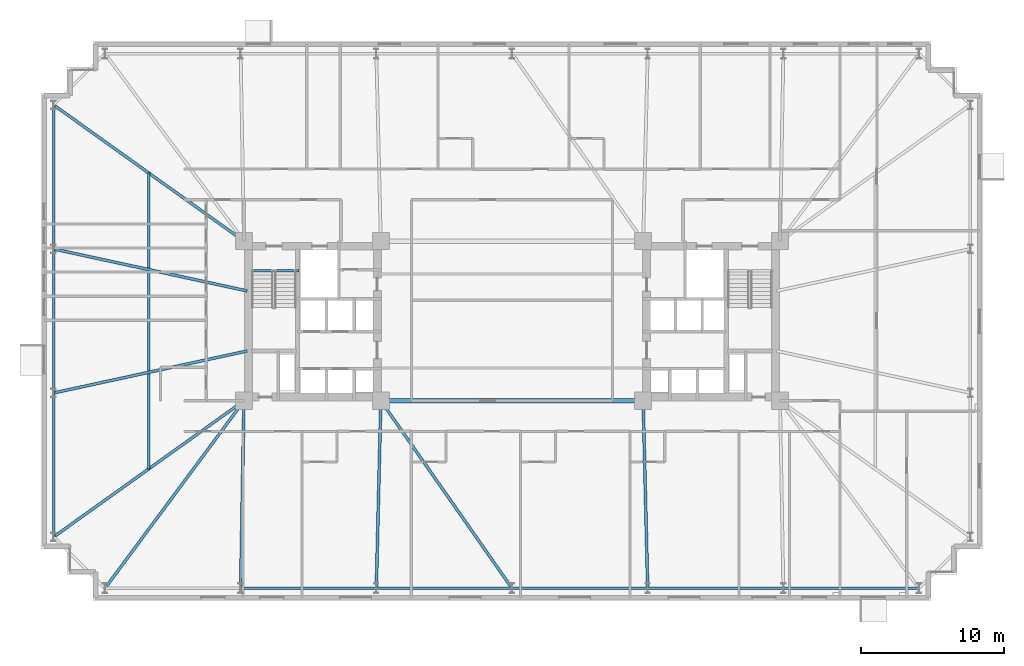
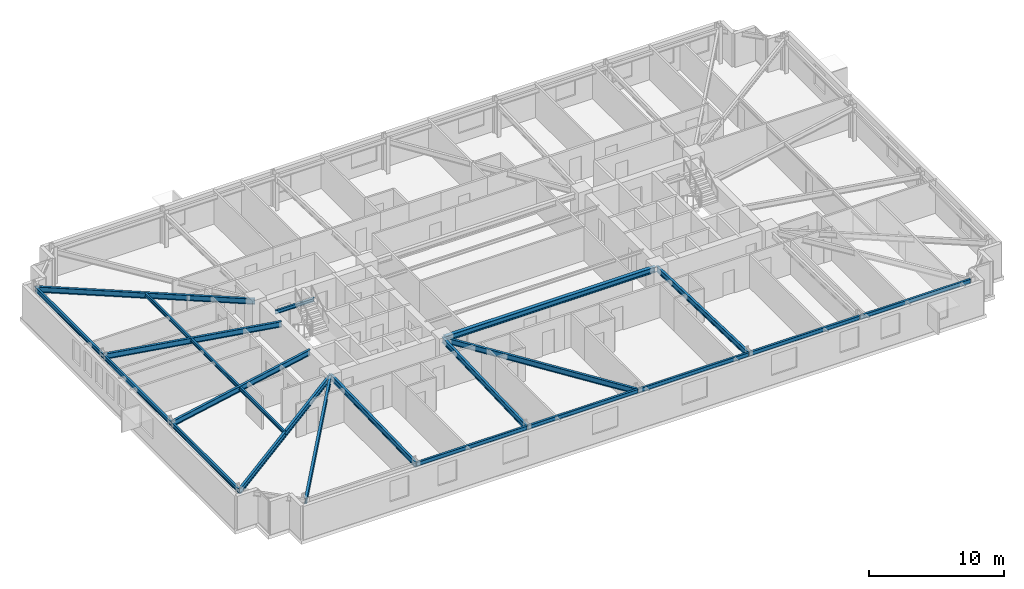
# One storey, part 5 of 21: 20 beams.
"""IFC4 building model written with IfcOpenShell, lengths in metres."""

from ifc_helpers import new_model, si_unit, direction, frame, origin, origin_2d, place, context, subcontext, project, spatial, i_section, extrude, material, material_profile, profile_set, type_object, element, save


model = new_model("IFC4")

# Units and contexts
model_context = context("Model", 3, precision=1e-05, world=origin(), true_north=direction((0.0, 1.0)))
body_context = subcontext(model_context, "Body", "Model", "MODEL_VIEW")
ifc_project = project(units=[si_unit("LENGTHUNIT", "METRE"), si_unit("AREAUNIT", "SQUARE_METRE"), si_unit("VOLUMEUNIT", "CUBIC_METRE"), si_unit("PLANEANGLEUNIT", "RADIAN"), si_unit("MASSUNIT", "GRAM", prefix="KILO")], contexts=[model_context])

# Site, building, storey
site_placement = place(None, origin())
site = spatial("IfcSite", under=ifc_project, at=site_placement, CompositionType="ELEMENT")
building_placement = place(site_placement, origin())
building = spatial("IfcBuilding", under=site, at=building_placement, Name="Qobustan Lattice House", CompositionType="ELEMENT")
storey_placement = place(building_placement, frame((0.0, 0.0, 40.39990234375)))
storey = spatial("IfcBuildingStorey", under=building, at=storey_placement, Name="L10", CompositionType="ELEMENT", Elevation=40.39990234375)

# Beams
ifc_material_1 = material(Name="Steel S355", Category="steel")
ifc_material_profile_1 = material_profile(ifc_material_1, i_section(OverallWidth=0.300048828125, OverallDepth=0.5, WebThickness=0.014404296875, FlangeThickness=0.028076171875, FilletRadius=0.027099609375, at=origin_2d()), Name="HEB500")
ifc_profile_set_1 = profile_set([ifc_material_profile_1], Name="Steel S355")
beam_type_1 = type_object("IfcBeamType", Name="BM-CG-HEB500", PredefinedType="USERDEFINED", material=ifc_profile_set_1)
beam_1_placement = place(storey_placement, frame((-9.050048828125, -5.60009765625, 2.78515625), z_axis=(1.0, 0.0, 0.0), x_axis=(0.0, 1.0, 0.0)))
element("IfcBeam", 1, at=beam_1_placement, inside=storey, type_object=beam_type_1, Name="L10 core spine girder CG-CS", ObjectType="GIRDER", PredefinedType="USERDEFINED", context=body_context, shape_type="SweptSolid", body=[
    extrude(i_section(OverallWidth=0.300048828125, OverallDepth=0.5, WebThickness=0.014404296875, FlangeThickness=0.028076171875, FilletRadius=0.027099609375, at=origin_2d()), origin(), (0.0, 0.0, 1.0), 18.10009765625),
])
ifc_material_2 = material(Name="Steel S355", Category="steel")
ifc_material_profile_2 = material_profile(ifc_material_2, i_section(OverallWidth=0.199951171875, OverallDepth=0.5, WebThickness=0.01025390625, FlangeThickness=0.01611328125, FilletRadius=0.02099609375, at=origin_2d()), Name="IPE500")
ifc_profile_set_2 = profile_set([ifc_material_profile_2], Name="Steel S355")
beam_type_2 = type_object("IfcBeamType", Name="BM-FLG-IPE500", PredefinedType="USERDEFINED", material=ifc_profile_set_2)
beam_2_placement = place(storey_placement, frame((-28.53515625, -18.72998046875, 2.78515625), z_axis=(0.5955916815, 0.803287338956, 0.0), x_axis=(-0.803287338956, 0.5955916815, 0.0)))
element("IfcBeam", 2, at=beam_2_placement, inside=storey, type_object=beam_type_2, Name="L10 primary floor girder RAD-S1W", ObjectType="GIRDER", PredefinedType="USERDEFINED", context=body_context, shape_type="SweptSolid", body=[
    extrude(i_section(OverallWidth=0.199951171875, OverallDepth=0.5, WebThickness=0.01025390625, FlangeThickness=0.01611328125, FilletRadius=0.02099609375, at=origin_2d()), origin(), (0.0, 0.0, 1.0), 16.3203125),
])
beam_3_placement = place(storey_placement, frame((-19.032958984375, -18.72509765625, 2.78515625), z_axis=(0.017757831607, 0.999842317276, 0.0), x_axis=(-0.999842317276, 0.017757831607, 0.0)))
element("IfcBeam", 3, at=beam_3_placement, inside=storey, type_object=beam_type_2, Name="L10 primary floor girder RAD-S2", ObjectType="GIRDER", PredefinedType="USERDEFINED", context=body_context, shape_type="SweptSolid", body=[
    extrude(i_section(OverallWidth=0.199951171875, OverallDepth=0.5, WebThickness=0.01025390625, FlangeThickness=0.01611328125, FilletRadius=0.02099609375, at=origin_2d()), origin(), (0.0, 0.0, 1.0), 13.10205078125),
])
beam_4_placement = place(storey_placement, frame((-9.51611328125, -18.72509765625, 2.78515625), z_axis=(0.024071445657, 0.999710240772, 0.0), x_axis=(-0.999710240772, 0.024071445657, 0.0)))
element("IfcBeam", 4, at=beam_4_placement, inside=storey, type_object=beam_type_2, Name="L10 primary floor girder RAD-S3", ObjectType="GIRDER", PredefinedType="USERDEFINED", context=body_context, shape_type="SweptSolid", body=[
    extrude(i_section(OverallWidth=0.199951171875, OverallDepth=0.5, WebThickness=0.01025390625, FlangeThickness=0.01611328125, FilletRadius=0.02099609375, at=origin_2d()), origin(), (0.0, 0.0, 1.0), 13.10400390625),
])
beam_5_placement = place(storey_placement, frame((-0.014404296875, -18.7294921875, 2.78515625), z_axis=(-0.57325954206, 0.819373844736, 0.0), x_axis=(-0.819373844736, -0.57325954206, 0.0)))
element("IfcBeam", 5, at=beam_5_placement, inside=storey, type_object=beam_type_2, Name="L10 primary floor girder RAD-S4", ObjectType="GIRDER", PredefinedType="USERDEFINED", context=body_context, shape_type="SweptSolid", body=[
    extrude(i_section(OverallWidth=0.199951171875, OverallDepth=0.5, WebThickness=0.01025390625, FlangeThickness=0.01611328125, FilletRadius=0.02099609375, at=origin_2d()), origin(), (0.0, 0.0, 1.0), 15.998779296875),
])
beam_6_placement = place(storey_placement, frame((9.51611328125, -18.72509765625, 2.78515625), z_axis=(-0.024071445657, 0.999710240772, 0.0), x_axis=(-0.999710240772, -0.024071445657, 0.0)))
element("IfcBeam", 6, at=beam_6_placement, inside=storey, type_object=beam_type_2, Name="L10 primary floor girder RAD-S5", ObjectType="GIRDER", PredefinedType="USERDEFINED", context=body_context, shape_type="SweptSolid", body=[
    extrude(i_section(OverallWidth=0.199951171875, OverallDepth=0.5, WebThickness=0.01025390625, FlangeThickness=0.01611328125, FilletRadius=0.02099609375, at=origin_2d()), origin(), (0.0, 0.0, 1.0), 13.10400390625),
])
beam_7_placement = place(storey_placement, frame((-32.129638671875, 15.135498046875, 2.78515625), z_axis=(0.813318954893, -0.581818079481, 0.0), x_axis=(0.581818079481, 0.813318954893, 0.0)))
element("IfcBeam", 7, at=beam_7_placement, inside=storey, type_object=beam_type_2, Name="L10 primary floor girder RAD-W1", ObjectType="GIRDER", PredefinedType="USERDEFINED", context=body_context, shape_type="SweptSolid", body=[
    extrude(i_section(OverallWidth=0.199951171875, OverallDepth=0.5, WebThickness=0.01025390625, FlangeThickness=0.01611328125, FilletRadius=0.02099609375, at=origin_2d()), origin(), (0.0, 0.0, 1.0), 16.3642578125),
])
for number, where, z_axis, x_axis, name in (
    (8, (-32.12548828125, 5.044677734375, 2.78515625), (0.97727240275, -0.211987383643, 0.0), (0.211987383643, 0.97727240275, 0.0), "L10 primary floor girder RAD-W2"),
    (9, (-32.12548828125, -5.044677734375, 2.78515625), (0.97727240275, 0.211987383643, 0.0), (-0.211987383643, 0.97727240275, 0.0), "L10 primary floor girder RAD-W3"),
):
    element("IfcBeam", number, at=place(storey_placement, frame(where, z_axis=z_axis, x_axis=x_axis)), inside=storey, type_object=beam_type_2, Name=name, ObjectType="GIRDER", PredefinedType="USERDEFINED", context=body_context, shape_type="SweptSolid", body=[
        extrude(i_section(OverallWidth=0.199951171875, OverallDepth=0.5, WebThickness=0.01025390625, FlangeThickness=0.01611328125, FilletRadius=0.02099609375, at=origin_2d()), origin(), (0.0, 0.0, 1.0), 13.8662109375),
    ])
beam_8_placement = place(storey_placement, frame((-32.129638671875, -15.135498046875, 2.78515625), z_axis=(0.813318954893, 0.581818079481, 0.0), x_axis=(-0.581818079481, 0.813318954893, 0.0)))
element("IfcBeam", 10, at=beam_8_placement, inside=storey, type_object=beam_type_2, Name="L10 primary floor girder RAD-W4", ObjectType="GIRDER", PredefinedType="USERDEFINED", context=body_context, shape_type="SweptSolid", body=[
    extrude(i_section(OverallWidth=0.199951171875, OverallDepth=0.5, WebThickness=0.01025390625, FlangeThickness=0.01611328125, FilletRadius=0.02099609375, at=origin_2d()), origin(), (0.0, 0.0, 1.0), 16.3642578125),
])
ifc_material_3 = material(Name="Steel S355", Category="steel")
ifc_material_profile_3 = material_profile(ifc_material_3, i_section(OverallWidth=0.159912109375, OverallDepth=0.330078125, WebThickness=0.007568359375, FlangeThickness=0.011474609375, FilletRadius=0.01806640625, at=origin_2d()), Name="IPE330")
ifc_profile_set_3 = profile_set([ifc_material_profile_3], Name="Steel S355")
beam_type_3 = type_object("IfcBeamType", Name="BM-SEC-IPE330", PredefinedType="BEAM", material=ifc_profile_set_3)
beam_9_placement = place(storey_placement, frame((-25.47509765625, 10.375, 2.8701171875), z_axis=(0.0, -1.0, 0.0), x_axis=(1.0, 0.0, 0.0)))
element("IfcBeam", 11, at=beam_9_placement, inside=storey, type_object=beam_type_3, Name="L10 west wing secondary beam", PredefinedType="BEAM", context=body_context, shape_type="SweptSolid", body=[
    extrude(i_section(OverallWidth=0.159912109375, OverallDepth=0.330078125, WebThickness=0.007568359375, FlangeThickness=0.011474609375, FilletRadius=0.01806640625, at=origin_2d()), origin(), (0.0, 0.0, 1.0), 20.75),
])
ifc_material_4 = material(Name="Steel S355", Category="steel")
ifc_material_profile_4 = material_profile(ifc_material_4, i_section(OverallWidth=0.159912109375, OverallDepth=0.330078125, WebThickness=0.007568359375, FlangeThickness=0.011474609375, FilletRadius=0.01806640625, at=origin_2d()), Name="IPE330")
ifc_profile_set_4 = profile_set([ifc_material_profile_4], Name="Steel S355")
beam_type_4 = type_object("IfcBeamType", Name="BM-SPD-IPE330", PredefinedType="SPANDREL", material=ifc_profile_set_4)
beam_10_placement = place(storey_placement, frame((-18.300048828125, 3.52001953125, 2.8701171875), z_axis=(1.0, 0.0, 0.0), x_axis=(0.0, 1.0, 0.0)))
element("IfcBeam", 12, at=beam_10_placement, inside=storey, type_object=beam_type_4, Name="L10 west stair landing trimmer beam", PredefinedType="SPANDREL", context=body_context, shape_type="SweptSolid", body=[
    extrude(i_section(OverallWidth=0.159912109375, OverallDepth=0.330078125, WebThickness=0.007568359375, FlangeThickness=0.011474609375, FilletRadius=0.01806640625, at=origin_2d()), origin(), (0.0, 0.0, 1.0), 3.35009765625),
])
ifc_material_5 = material(Name="Steel S355", Category="steel")
ifc_material_profile_5 = material_profile(ifc_material_5, i_section(OverallWidth=0.179931640625, OverallDepth=0.39990234375, WebThickness=0.008544921875, FlangeThickness=0.013427734375, FilletRadius=0.02099609375, at=origin_2d()), Name="IPE400")
ifc_profile_set_5 = profile_set([ifc_material_profile_5], Name="Steel S355")
beam_type_5 = type_object("IfcBeamType", Name="BM-SPD-IPE400", PredefinedType="SPANDREL", material=ifc_profile_set_5)
beam_11_placement = place(storey_placement, frame((-19.00830078125, -18.75, 2.835205078125), z_axis=(1.0, 0.0, 0.0), x_axis=(0.0, 1.0, 0.0)))
element("IfcBeam", 13, at=beam_11_placement, inside=storey, type_object=beam_type_5, Name="L10 perimeter spandrel S2-S3", PredefinedType="SPANDREL", context=body_context, shape_type="SweptSolid", body=[
    extrude(i_section(OverallWidth=0.179931640625, OverallDepth=0.39990234375, WebThickness=0.008544921875, FlangeThickness=0.013427734375, FilletRadius=0.02099609375, at=origin_2d()), origin(), (0.0, 0.0, 1.0), 9.466552734375),
])
for number, where, z_axis, x_axis, name in (
    (14, (-9.49169921875, -18.75, 2.835205078125), (1.0, 0.0, 0.0), (0.0, 1.0, 0.0), "L10 perimeter spandrel S3-S4"),
    (15, (0.02490234375, -18.75, 2.835205078125), (1.0, 0.0, 0.0), (0.0, 1.0, 0.0), "L10 perimeter spandrel S4-S5"),
):
    element("IfcBeam", number, at=place(storey_placement, frame(where, z_axis=z_axis, x_axis=x_axis)), inside=storey, type_object=beam_type_5, Name=name, PredefinedType="SPANDREL", context=body_context, shape_type="SweptSolid", body=[
        extrude(i_section(OverallWidth=0.179931640625, OverallDepth=0.39990234375, WebThickness=0.008544921875, FlangeThickness=0.013427734375, FilletRadius=0.02099609375, at=origin_2d()), origin(), (0.0, 0.0, 1.0), 9.466796875),
    ])
for number, where, z_axis, x_axis, name in (
    (16, (9.541748046875, -18.75, 2.835205078125), (1.0, 0.0, 0.0), (0.0, 1.0, 0.0), "L10 perimeter spandrel S5-S6"),
    (17, (19.058349609375, -18.75, 2.835205078125), (1.0, 0.0, 0.0), (0.0, 1.0, 0.0), "L10 perimeter spandrel S6-S7"),
):
    element("IfcBeam", number, at=place(storey_placement, frame(where, z_axis=z_axis, x_axis=x_axis)), inside=storey, type_object=beam_type_5, Name=name, PredefinedType="SPANDREL", context=body_context, shape_type="SweptSolid", body=[
        extrude(i_section(OverallWidth=0.179931640625, OverallDepth=0.39990234375, WebThickness=0.008544921875, FlangeThickness=0.013427734375, FilletRadius=0.02099609375, at=origin_2d()), origin(), (0.0, 0.0, 1.0), 9.466552734375),
    ])
beam_12_placement = place(storey_placement, frame((-32.14990234375, 15.125, 2.835205078125), z_axis=(0.0, -1.0, 0.0), x_axis=(1.0, 0.0, 0.0)))
element("IfcBeam", 18, at=beam_12_placement, inside=storey, type_object=beam_type_5, Name="L10 perimeter spandrel W1-W2", PredefinedType="SPANDREL", context=body_context, shape_type="SweptSolid", body=[
    extrude(i_section(OverallWidth=0.179931640625, OverallDepth=0.39990234375, WebThickness=0.008544921875, FlangeThickness=0.013427734375, FilletRadius=0.02099609375, at=origin_2d()), origin(), (0.0, 0.0, 1.0), 10.050048828125),
])
beam_13_placement = place(storey_placement, frame((-32.14990234375, 5.02490234375, 2.835205078125), z_axis=(0.0, -1.0, 0.0), x_axis=(1.0, 0.0, 0.0)))
element("IfcBeam", 19, at=beam_13_placement, inside=storey, type_object=beam_type_5, Name="L10 perimeter spandrel W2-W3", PredefinedType="SPANDREL", context=body_context, shape_type="SweptSolid", body=[
    extrude(i_section(OverallWidth=0.179931640625, OverallDepth=0.39990234375, WebThickness=0.008544921875, FlangeThickness=0.013427734375, FilletRadius=0.02099609375, at=origin_2d()), origin(), (0.0, 0.0, 1.0), 10.0498046875),
])
beam_14_placement = place(storey_placement, frame((-32.14990234375, -5.074951171875, 2.835205078125), z_axis=(0.0, -1.0, 0.0), x_axis=(1.0, 0.0, 0.0)))
element("IfcBeam", 20, at=beam_14_placement, inside=storey, type_object=beam_type_5, Name="L10 perimeter spandrel W3-W4", PredefinedType="SPANDREL", context=body_context, shape_type="SweptSolid", body=[
    extrude(i_section(OverallWidth=0.179931640625, OverallDepth=0.39990234375, WebThickness=0.008544921875, FlangeThickness=0.013427734375, FilletRadius=0.02099609375, at=origin_2d()), origin(), (0.0, 0.0, 1.0), 10.050048828125),
])

save(model, "model.ifc")
